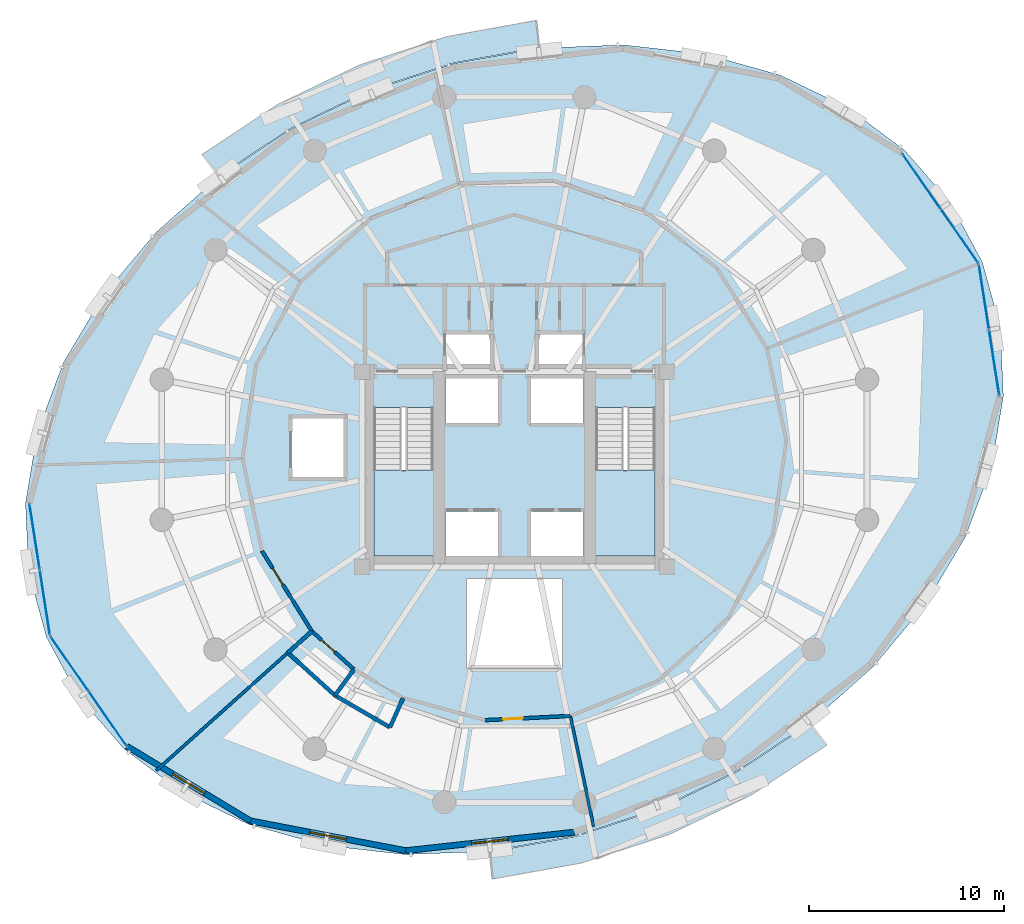
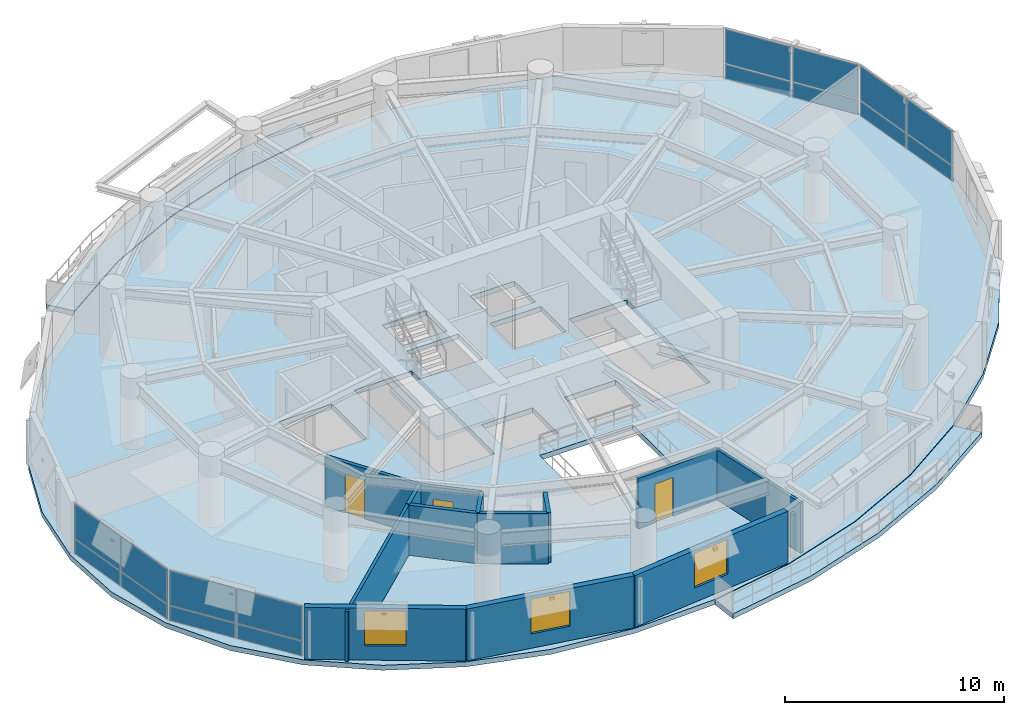
# One storey, part 9 of 14: 16 plates, 13 walls, 5 slabs, 3 doors, 3 windows, 6 openings, 6 elements without a shape of their own.
"""IFC4 building model written with IfcOpenShell, lengths in metres."""

from ifc_helpers import new_model, si_unit, direction, frame, frame_2d, origin, origin_2d, place, context, subcontext, project, spatial, polyline, rectangle, outline, extrude, material, layer, layer_set, type_object, element, fill, aggregate, save


model = new_model("IFC4")

# Units and contexts
model_context = context("Model", 3, precision=1e-05, world=origin(), true_north=direction((0.0, 1.0)))
body_context = subcontext(model_context, "Body", "Model", "MODEL_VIEW")
ifc_project = project(units=[si_unit("LENGTHUNIT", "METRE"), si_unit("AREAUNIT", "SQUARE_METRE"), si_unit("VOLUMEUNIT", "CUBIC_METRE"), si_unit("PLANEANGLEUNIT", "RADIAN"), si_unit("MASSUNIT", "GRAM", prefix="KILO"), si_unit("THERMODYNAMICTEMPERATUREUNIT", "KELVIN"), si_unit("POWERUNIT", "WATT")], contexts=[model_context])

# Site, building, storey
site_placement = place(None, origin())
site = spatial("IfcSite", under=ifc_project, at=site_placement, CompositionType="ELEMENT")
building_placement = place(site_placement, origin())
building = spatial("IfcBuilding", under=site, at=building_placement, Name="Ocrelia Relay Tower", CompositionType="ELEMENT")
storey_placement = place(building_placement, frame((0.0, 0.0, 125.800048828125)))
storey = spatial("IfcBuildingStorey", under=building, at=storey_placement, Name="L29", CompositionType="ELEMENT", Elevation=125.800048828125)

# Curtain wall, plates
ifc_material_1 = material(Name="Aluminium and solar-control low-E glass", Category="aluminium")
ifc_layer_1 = layer(ifc_material_1, 0.179931640625, Name="Aluminium and solar-control low-E glass")
ifc_layer_set_1 = layer_set([ifc_layer_1], Name="Aluminium and solar-control low-E glass")
curtain_wall_type = type_object("IfcCurtainWallType", Name="CW-SYS-Z2-SWIT", PredefinedType="NOTDEFINED", material=ifc_layer_set_1)
curtain_wall_1_placement = place(storey_placement, origin())
curtain_wall_1 = element("IfcCurtainWall", 1, at=curtain_wall_1_placement, inside=storey, type_object=curtain_wall_type, Name="L29 Elliptical Tower Curtain Wall Bay 01", PredefinedType="NOTDEFINED")
ifc_material_2 = material(Name="Clear double-glazed low-E glass", Category="glass")
ifc_layer_2 = layer(ifc_material_2, 0.031982421875, Name="Clear double-glazed low-E glass")
ifc_layer_set_2 = layer_set([ifc_layer_2], Name="Clear double-glazed low-E glass")
plate_type = type_object("IfcPlateType", Name="CW-SYS-Z2-SWIT-PNL", PredefinedType="CURTAIN_PANEL", material=ifc_layer_set_2)
plate_1_placement = place(storey_placement, frame((56.76904296875, 36.9541015625, 0.059814453125), z_axis=(0.0, 0.0, 1.0), x_axis=(-0.570993357289, 0.820954679585, 0.0)))
plate_1 = element("IfcPlate", 2, at=plate_1_placement, type_object=plate_type, Name="CW-Z2 panel 1.1", PredefinedType="CURTAIN_PANEL", context=body_context, shape_type="SweptSolid", body=[
    extrude(rectangle(XDim=3.33447265625, YDim=0.031982421875, at=origin_2d()), origin(), (0.0, 0.0, 1.0), 0.81005859375),
])
plate_2_placement = place(storey_placement, frame((56.76904296875, 36.9541015625, 0.93017578125), z_axis=(0.0, 0.0, 1.0), x_axis=(-0.570993357289, 0.820954679585, 0.0)))
plate_2 = element("IfcPlate", 3, at=plate_2_placement, type_object=plate_type, Name="CW-Z2 panel 1.2", PredefinedType="CURTAIN_PANEL", context=body_context, shape_type="SweptSolid", body=[
    extrude(rectangle(XDim=3.33447265625, YDim=0.031982421875, at=origin_2d()), origin(), (0.0, 0.0, 1.0), 1.909912109375),
])
plate_3_placement = place(storey_placement, frame((54.824951171875, 39.7490234375, 0.059814453125), z_axis=(0.0, 0.0, 1.0), x_axis=(-0.570993357289, 0.820954679585, 0.0)))
plate_3 = element("IfcPlate", 4, at=plate_3_placement, type_object=plate_type, Name="CW-Z2 panel 2.1", PredefinedType="CURTAIN_PANEL", context=body_context, shape_type="SweptSolid", body=[
    extrude(rectangle(XDim=3.33447265625, YDim=0.031982421875, at=origin_2d()), origin(), (0.0, 0.0, 1.0), 0.81005859375),
])
plate_4_placement = place(storey_placement, frame((54.824951171875, 39.7490234375, 0.93017578125), z_axis=(0.0, 0.0, 1.0), x_axis=(-0.570993357289, 0.820954679585, 0.0)))
plate_4 = element("IfcPlate", 5, at=plate_4_placement, type_object=plate_type, Name="CW-Z2 panel 2.2", PredefinedType="CURTAIN_PANEL", context=body_context, shape_type="SweptSolid", body=[
    extrude(rectangle(XDim=3.33447265625, YDim=0.031982421875, at=origin_2d()), origin(), (0.0, 0.0, 1.0), 1.909912109375),
])
aggregate(curtain_wall_1, [plate_1, plate_2, plate_3, plate_4])

curtain_wall_2_placement = place(storey_placement, origin())
curtain_wall_2 = element("IfcCurtainWall", 6, at=curtain_wall_2_placement, inside=storey, type_object=curtain_wall_type, Name="L29 Elliptical Tower Curtain Wall Bay 09", PredefinedType="NOTDEFINED")
plate_5_placement = place(storey_placement, frame((9.4453125, 21.552490234375, 0.059814453125), z_axis=(0.0, 0.0, 1.0), x_axis=(0.154379097489, -0.988011687309, 0.0)))
plate_5 = element("IfcPlate", 7, at=plate_5_placement, type_object=plate_type, Name="CW-Z2 panel 1.1", PredefinedType="CURTAIN_PANEL", context=body_context, shape_type="SweptSolid", body=[
    extrude(rectangle(XDim=3.33447265625, YDim=0.031982421875, at=origin_2d()), origin(), (0.0, 0.0, 1.0), 0.81005859375),
])
plate_6_placement = place(storey_placement, frame((9.4453125, 21.552490234375, 0.93017578125), z_axis=(0.0, 0.0, 1.0), x_axis=(0.154379097489, -0.988011687309, 0.0)))
plate_6 = element("IfcPlate", 8, at=plate_6_placement, type_object=plate_type, Name="CW-Z2 panel 1.2", PredefinedType="CURTAIN_PANEL", context=body_context, shape_type="SweptSolid", body=[
    extrude(rectangle(XDim=3.33447265625, YDim=0.031982421875, at=origin_2d()), origin(), (0.0, 0.0, 1.0), 1.909912109375),
])
plate_7_placement = place(storey_placement, frame((9.970947265625, 18.188720703125, 0.059814453125), z_axis=(0.0, 0.0, 1.0), x_axis=(0.154379097489, -0.988011687309, 0.0)))
plate_7 = element("IfcPlate", 9, at=plate_7_placement, type_object=plate_type, Name="CW-Z2 panel 2.1", PredefinedType="CURTAIN_PANEL", context=body_context, shape_type="SweptSolid", body=[
    extrude(rectangle(XDim=3.33447265625, YDim=0.031982421875, at=origin_2d()), origin(), (0.0, 0.0, 1.0), 0.81005859375),
])
plate_8_placement = place(storey_placement, frame((9.970947265625, 18.188720703125, 0.93017578125), z_axis=(0.0, 0.0, 1.0), x_axis=(0.154379097489, -0.988011687309, 0.0)))
plate_8 = element("IfcPlate", 10, at=plate_8_placement, type_object=plate_type, Name="CW-Z2 panel 2.2", PredefinedType="CURTAIN_PANEL", context=body_context, shape_type="SweptSolid", body=[
    extrude(rectangle(XDim=3.33447265625, YDim=0.031982421875, at=origin_2d()), origin(), (0.0, 0.0, 1.0), 1.909912109375),
])
aggregate(curtain_wall_2, [plate_5, plate_6, plate_7, plate_8])

curtain_wall_3_placement = place(storey_placement, origin())
curtain_wall_3 = element("IfcCurtainWall", 11, at=curtain_wall_3_placement, inside=storey, type_object=curtain_wall_type, Name="L29 Elliptical Tower Curtain Wall Bay 10", PredefinedType="NOTDEFINED")
plate_9_placement = place(storey_placement, frame((11.23095703125, 15.0458984375, 0.059814453125), z_axis=(0.0, 0.0, 1.0), x_axis=(0.570993357289, -0.820954679585, 0.0)))
plate_9 = element("IfcPlate", 12, at=plate_9_placement, type_object=plate_type, Name="CW-Z2 panel 1.1", PredefinedType="CURTAIN_PANEL", context=body_context, shape_type="SweptSolid", body=[
    extrude(rectangle(XDim=3.33447265625, YDim=0.031982421875, at=origin_2d()), origin(), (0.0, 0.0, 1.0), 0.81005859375),
])
plate_10_placement = place(storey_placement, frame((11.23095703125, 15.0458984375, 0.93017578125), z_axis=(0.0, 0.0, 1.0), x_axis=(0.570993357289, -0.820954679585, 0.0)))
plate_10 = element("IfcPlate", 13, at=plate_10_placement, type_object=plate_type, Name="CW-Z2 panel 1.2", PredefinedType="CURTAIN_PANEL", context=body_context, shape_type="SweptSolid", body=[
    extrude(rectangle(XDim=3.33447265625, YDim=0.031982421875, at=origin_2d()), origin(), (0.0, 0.0, 1.0), 1.909912109375),
])
plate_11_placement = place(storey_placement, frame((13.175048828125, 12.2509765625, 0.059814453125), z_axis=(0.0, 0.0, 1.0), x_axis=(0.570993357289, -0.820954679585, 0.0)))
plate_11 = element("IfcPlate", 14, at=plate_11_placement, type_object=plate_type, Name="CW-Z2 panel 2.1", PredefinedType="CURTAIN_PANEL", context=body_context, shape_type="SweptSolid", body=[
    extrude(rectangle(XDim=3.33447265625, YDim=0.031982421875, at=origin_2d()), origin(), (0.0, 0.0, 1.0), 0.81005859375),
])
plate_12_placement = place(storey_placement, frame((13.175048828125, 12.2509765625, 0.93017578125), z_axis=(0.0, 0.0, 1.0), x_axis=(0.570993357289, -0.820954679585, 0.0)))
plate_12 = element("IfcPlate", 15, at=plate_12_placement, type_object=plate_type, Name="CW-Z2 panel 2.2", PredefinedType="CURTAIN_PANEL", context=body_context, shape_type="SweptSolid", body=[
    extrude(rectangle(XDim=3.33447265625, YDim=0.031982421875, at=origin_2d()), origin(), (0.0, 0.0, 1.0), 1.909912109375),
])
aggregate(curtain_wall_3, [plate_9, plate_10, plate_11, plate_12])

curtain_wall_4_placement = place(storey_placement, origin())
curtain_wall_4 = element("IfcCurtainWall", 16, at=curtain_wall_4_placement, inside=storey, type_object=curtain_wall_type, Name="L29 Elliptical Tower Curtain Wall Bay 18", PredefinedType="NOTDEFINED")
plate_13_placement = place(storey_placement, frame((58.5546875, 30.447509765625, 0.059814453125), z_axis=(0.0, 0.0, 1.0), x_axis=(-0.154379097489, 0.988011687309, 0.0)))
plate_13 = element("IfcPlate", 17, at=plate_13_placement, type_object=plate_type, Name="CW-Z2 panel 1.1", PredefinedType="CURTAIN_PANEL", context=body_context, shape_type="SweptSolid", body=[
    extrude(rectangle(XDim=3.33447265625, YDim=0.031982421875, at=origin_2d()), origin(), (0.0, 0.0, 1.0), 0.81005859375),
])
plate_14_placement = place(storey_placement, frame((58.5546875, 30.447509765625, 0.93017578125), z_axis=(0.0, 0.0, 1.0), x_axis=(-0.154379097489, 0.988011687309, 0.0)))
plate_14 = element("IfcPlate", 18, at=plate_14_placement, type_object=plate_type, Name="CW-Z2 panel 1.2", PredefinedType="CURTAIN_PANEL", context=body_context, shape_type="SweptSolid", body=[
    extrude(rectangle(XDim=3.33447265625, YDim=0.031982421875, at=origin_2d()), origin(), (0.0, 0.0, 1.0), 1.909912109375),
])
plate_15_placement = place(storey_placement, frame((58.029052734375, 33.811279296875, 0.059814453125), z_axis=(0.0, 0.0, 1.0), x_axis=(-0.154379097489, 0.988011687309, 0.0)))
plate_15 = element("IfcPlate", 19, at=plate_15_placement, type_object=plate_type, Name="CW-Z2 panel 2.1", PredefinedType="CURTAIN_PANEL", context=body_context, shape_type="SweptSolid", body=[
    extrude(rectangle(XDim=3.33447265625, YDim=0.031982421875, at=origin_2d()), origin(), (0.0, 0.0, 1.0), 0.81005859375),
])
plate_16_placement = place(storey_placement, frame((58.029052734375, 33.811279296875, 0.93017578125), z_axis=(0.0, 0.0, 1.0), x_axis=(-0.154379097489, 0.988011687309, 0.0)))
plate_16 = element("IfcPlate", 20, at=plate_16_placement, type_object=plate_type, Name="CW-Z2 panel 2.2", PredefinedType="CURTAIN_PANEL", context=body_context, shape_type="SweptSolid", body=[
    extrude(rectangle(XDim=3.33447265625, YDim=0.031982421875, at=origin_2d()), origin(), (0.0, 0.0, 1.0), 1.909912109375),
])
aggregate(curtain_wall_4, [plate_13, plate_14, plate_15, plate_16])

# Slabs
ifc_material_3 = material(Name="Precast concrete C40/50", Category="concrete")
ifc_layer_3 = layer(ifc_material_3, 0.280029296875, Name="Precast concrete C40/50")
ifc_layer_set_3 = layer_set([ifc_layer_3], Name="Precast concrete C40/50")
slab_type_1 = type_object("IfcSlabType", Name="SL-BALC-280", PredefinedType="FLOOR", material=ifc_layer_set_3)
slab_1_placement = place(storey_placement, frame((0.0, 0.0, -0.280029296875)))
element("IfcSlab", 21, at=slab_1_placement, inside=storey, type_object=slab_type_1, Name="L29 Planted Loggia Balcony B1", PredefinedType="FLOOR", context=body_context, shape_type="SweptSolid", body=[
    extrude(outline(polyline([(35.26220703125, 46.583251953125), (33.078125, 46.189208984375), (30.893798828125, 45.794921875), (26.61962890625, 44.405517578125), (22.56982421875, 42.457275390625), (20.71826171875, 41.233154296875), (18.86669921875, 40.009033203125), (18.018310546875, 41.114501953125), (19.9501953125, 42.3916015625), (21.882080078125, 43.668701171875), (26.101318359375, 45.698486328125), (30.553955078125, 47.14599609375), (32.8330078125, 47.557373046875), (35.11181640625, 47.968505859375), (35.26220703125, 46.583251953125)])), origin(), (0.0, 0.0, 1.0), 0.280029296875),
])
slab_2_placement = place(storey_placement, frame((0.0, 0.0, -0.280029296875)))
element("IfcSlab", 22, at=slab_2_placement, inside=storey, type_object=slab_type_1, Name="L29 Planted Loggia Balcony B2", PredefinedType="FLOOR", context=body_context, shape_type="SweptSolid", body=[
    extrude(outline(polyline([(32.73779296875, 5.416748046875), (34.921875, 5.810791015625), (37.106201171875, 6.205078125), (41.38037109375, 7.594482421875), (45.43017578125, 9.542724609375), (47.28173828125, 10.766845703125), (49.13330078125, 11.990966796875), (49.981689453125, 10.885498046875), (48.0498046875, 9.6083984375), (46.117919921875, 8.331298828125), (41.898681640625, 6.301513671875), (37.446044921875, 4.85400390625), (35.1669921875, 4.442626953125), (32.88818359375, 4.031494140625), (32.73779296875, 5.416748046875)])), origin(), (0.0, 0.0, 1.0), 0.280029296875),
])
ifc_material_4 = material(Name="Concrete C50/60", Category="concrete")
ifc_layer_4 = layer(ifc_material_4, 0.280029296875, Name="Concrete C50/60")
ifc_layer_set_4 = layer_set([ifc_layer_4], Name="Concrete C50/60")
slab_type_2 = type_object("IfcSlabType", Name="SL-FLR-280", PredefinedType="FLOOR", material=ifc_layer_set_4)
slab_3_placement = place(storey_placement, frame((0.0, 0.0, -0.280029296875)))
element("IfcSlab", 23, at=slab_3_placement, inside=storey, type_object=slab_type_2, Name="L29 Elliptical Tower Floor Slab", PredefinedType="FLOOR", context=body_context, shape_type="SweptSolid", body=[
    extrude(outline(polyline([(57.946533203125, 35.602294921875), (56.302978515625, 38.6474609375), (53.98193359375, 41.30859375), (51.0537109375, 43.50439453125), (47.607421875, 45.168701171875), (43.74755859375, 46.250244140625), (39.59130859375, 46.716552734375), (35.265380859375, 46.553466796875), (30.901123046875, 45.765869140625), (26.630859375, 44.377685546875), (22.584716796875, 42.430908203125), (18.885009765625, 39.985107421875), (15.64501953125, 37.114501953125), (12.96240234375, 33.906005859375), (10.919189453125, 30.457275390625), (9.5771484375, 26.873046875), (8.977294921875, 23.262451171875), (9.1376953125, 19.73486328125), (10.053466796875, 16.397705078125), (11.697021484375, 13.3525390625), (14.01806640625, 10.69140625), (16.9462890625, 8.49560546875), (20.392578125, 6.831298828125), (24.25244140625, 5.749755859375), (28.40869140625, 5.283447265625), (32.734619140625, 5.446533203125), (37.098876953125, 6.234130859375), (41.369140625, 7.622314453125), (45.415283203125, 9.569091796875), (49.114990234375, 12.014892578125), (52.35498046875, 14.885498046875), (55.03759765625, 18.093994140625), (57.080810546875, 21.542724609375), (58.4228515625, 25.126953125), (59.022705078125, 28.737548828125), (58.8623046875, 32.26513671875), (57.946533203125, 35.602294921875)]), holes=[polyline([(26.81005859375, 28.14990234375), (26.81005859375, 20.550048828125), (29.85009765625, 20.550048828125), (29.85009765625, 28.14990234375), (26.81005859375, 28.14990234375)]), polyline([(38.159912109375, 28.14990234375), (38.159912109375, 20.550048828125), (41.199951171875, 20.550048828125), (41.199951171875, 28.14990234375), (38.159912109375, 28.14990234375)]), polyline([(30.4599609375, 20.550048828125), (33.159912109375, 20.550048828125), (33.159912109375, 22.85009765625), (30.4599609375, 22.85009765625), (30.4599609375, 20.550048828125)]), polyline([(34.840087890625, 20.550048828125), (37.5400390625, 20.550048828125), (37.5400390625, 22.85009765625), (34.840087890625, 22.85009765625), (34.840087890625, 20.550048828125)]), polyline([(30.4599609375, 27.35009765625), (33.159912109375, 27.35009765625), (33.159912109375, 29.64990234375), (30.4599609375, 29.64990234375), (30.4599609375, 27.35009765625)]), polyline([(34.840087890625, 27.35009765625), (37.5400390625, 27.35009765625), (37.5400390625, 29.64990234375), (34.840087890625, 29.64990234375), (34.840087890625, 27.35009765625)]), polyline([(30.5, 30.10009765625), (32.85009765625, 30.10009765625), (32.85009765625, 32.0), (30.5, 32.0), (30.5, 30.10009765625)]), polyline([(35.14990234375, 30.10009765625), (37.5, 30.10009765625), (37.5, 32.0), (35.14990234375, 32.0), (35.14990234375, 30.10009765625)]), polyline([(22.550048828125, 24.5), (25.35009765625, 24.5), (25.35009765625, 27.699951171875), (22.550048828125, 27.699951171875), (22.550048828125, 24.5)]), polyline([(31.550048828125, 14.800048828125), (36.449951171875, 14.800048828125), (36.449951171875, 19.39990234375), (31.550048828125, 19.39990234375), (31.550048828125, 14.800048828125)])]), origin(), (0.0, 0.0, 1.0), 0.280029296875),
])

# Stair, slab
stair_type = type_object("IfcStairType", Name="ST-DL-1420-R167", PredefinedType="HALF_TURN_STAIR", material=ifc_material_4)
stair_1_placement = place(storey_placement, origin())
stair_1 = element("IfcStair", 24, at=stair_1_placement, inside=storey, type_object=stair_type, Name="L29 West Core Exit Stair ST1", PredefinedType="HALF_TURN_STAIR")
ifc_layer_5 = layer(ifc_material_4, 0.199951171875, Name="Concrete C50/60")
ifc_layer_set_5 = layer_set([ifc_layer_5], Name="Concrete C50/60")
slab_type_3 = type_object("IfcSlabType", Name="SL-LANDING-200", PredefinedType="LANDING", material=ifc_layer_set_5)
slab_4_placement = place(storey_placement, frame((0.0, 0.0, 1.800048828125)))
slab_4 = element("IfcSlab", 25, at=slab_4_placement, type_object=slab_type_3, Name="ST1 landing 1", PredefinedType="LANDING", context=body_context, shape_type="SweptSolid", body=[
    extrude(outline(polyline([(26.81005859375, 24.9599609375), (26.81005859375, 20.550048828125), (29.85009765625, 20.550048828125), (29.85009765625, 24.9599609375), (26.81005859375, 24.9599609375)])), origin(), (0.0, 0.0, 1.0), 0.199951171875),
])
aggregate(stair_1, [slab_4])

stair_2_placement = place(storey_placement, origin())
stair_2 = element("IfcStair", 26, at=stair_2_placement, inside=storey, type_object=stair_type, Name="L29 East Core Exit Stair ST2", PredefinedType="HALF_TURN_STAIR")
slab_5_placement = place(storey_placement, frame((0.0, 0.0, 1.800048828125)))
slab_5 = element("IfcSlab", 27, at=slab_5_placement, type_object=slab_type_3, Name="ST2 landing 1", PredefinedType="LANDING", context=body_context, shape_type="SweptSolid", body=[
    extrude(outline(polyline([(38.159912109375, 24.9599609375), (38.159912109375, 20.550048828125), (41.199951171875, 20.550048828125), (41.199951171875, 24.9599609375), (38.159912109375, 24.9599609375)])), origin(), (0.0, 0.0, 1.0), 0.199951171875),
])
aggregate(stair_2, [slab_5])

# Wall, opening, door
ifc_material_5 = material(Name="Gypsum Fireboard Partition EI60", Category="gypsum")
ifc_layer_6 = layer(ifc_material_5, 0.179931640625, Name="Gypsum Fireboard Partition EI60")
ifc_layer_set_6 = layer_set([ifc_layer_6], Name="Gypsum Fireboard Partition EI60")
wall_type_1 = type_object("IfcWallType", Name="W-CORR-EI60-180", PredefinedType="PARTITIONING", material=ifc_layer_set_6)
wall_1_placement = place(storey_placement, frame((23.631103515625, 16.712890625, 0.0), z_axis=(0.0, 0.0, 1.0), x_axis=(0.741384706551, -0.671080261141, 0.0)))
wall_1 = element("IfcWall", 28, at=wall_1_placement, inside=storey, type_object=wall_type_1, Name="L29 Staff Toilet Corridor Wall", PredefinedType="PARTITIONING", context=body_context, shape_type="SweptSolid", body=[
    extrude(rectangle(XDim=2.91015625, YDim=0.179931640625, at=frame_2d((1.455078125, 0.0))), origin(), (0.0, 0.0, 1.0), 2.800048828125),
])
opening_1_placement = place(wall_1_placement, frame((0.6689453125, 0.0, 0.0)))
opening_1 = element("IfcOpeningElement", 29, at=opening_1_placement, cuts=wall_1, Name="Opening D-WC92", PredefinedType="OPENING", context=body_context, shape_type="SweptSolid", body=[
    extrude(rectangle(XDim=0.919921875, YDim=2.10009765625, at=frame_2d((0.4599609375, 1.050048828125))), frame((0.0, 0.10009765625, 0.0), z_axis=(0.0, -1.0, 0.0), x_axis=(1.0, 0.0, 0.0)), (0.0, 0.0, 1.0), 0.199951171875),
])
ifc_material_6 = material(Name="Laminate washroom door", Category="wood")
door_type_1 = type_object("IfcDoorType", Name="DR-WC-920", OperationType="NOTDEFINED", PredefinedType="DOOR", material=ifc_material_6)
door_1_placement = place(opening_1_placement, origin())
door_1 = element("IfcDoor", 30, at=door_1_placement, inside=storey, type_object=door_type_1, Name="L29 Staff Toilet Door", OperationType="SINGLE_SWING_LEFT", OverallHeight=2.10009765625, OverallWidth=0.919921875, PredefinedType="DOOR", context=body_context, shape_type="SweptSolid", body=[
    extrude(rectangle(XDim=0.919921875, YDim=2.10009765625, at=frame_2d((0.4599609375, 1.050048828125))), frame((0.0, 0.02490234375, 0.0), z_axis=(0.0, -1.0, 0.0), x_axis=(1.0, 0.0, 0.0)), (0.0, 0.0, 1.0), 0.050048828125),
])
fill(opening_1, door_1)

wall_2_placement = place(storey_placement, frame((32.5087890625, 12.16015625, 0.0), z_axis=(0.0, 0.0, 1.0), x_axis=(0.998762941089, 0.049725119485, 0.0)))
wall_2 = element("IfcWall", 31, at=wall_2_placement, inside=storey, type_object=wall_type_1, Name="L29 Innovation Club Room Corridor Partition 2", PredefinedType="PARTITIONING", context=body_context, shape_type="SweptSolid", body=[
    extrude(rectangle(XDim=4.35498046875, YDim=0.179931640625, at=frame_2d((2.177490234375, 0.0))), origin(), (0.0, 0.0, 1.0), 2.800048828125),
])
opening_2_placement = place(wall_2_placement, frame((0.913818359375, 0.0, 0.0)))
opening_2 = element("IfcOpeningElement", 32, at=opening_2_placement, cuts=wall_2, Name="Opening D-RM100", PredefinedType="OPENING", context=body_context, shape_type="SweptSolid", body=[
    extrude(rectangle(XDim=1.0, YDim=2.14990234375, at=frame_2d((0.5, 1.074951171875))), frame((0.0, 0.10009765625, 0.0), z_axis=(0.0, -1.0, 0.0), x_axis=(1.0, 0.0, 0.0)), (0.0, 0.0, 1.0), 0.199951171875),
])
ifc_material_7 = material(Name="Acoustic oak veneer fire door", Category="wood")
door_type_2 = type_object("IfcDoorType", Name="DR-ROOM-FD60-1000", OperationType="NOTDEFINED", PredefinedType="DOOR", material=ifc_material_7)
door_2_placement = place(opening_2_placement, origin())
door_2 = element("IfcDoor", 33, at=door_2_placement, inside=storey, type_object=door_type_2, Name="L29 Innovation Club Room Entrance Door", OperationType="SINGLE_SWING_LEFT", OverallHeight=2.14990234375, OverallWidth=1.0, PredefinedType="DOOR", context=body_context, shape_type="SweptSolid", body=[
    extrude(rectangle(XDim=1.0, YDim=2.14990234375, at=frame_2d((0.5, 1.074951171875))), frame((0.0, 0.02490234375, 0.0), z_axis=(0.0, -1.0, 0.0), x_axis=(1.0, 0.0, 0.0)), (0.0, 0.0, 1.0), 0.050048828125),
])
fill(opening_2, door_2)

wall_3_placement = place(storey_placement, frame((21.080078125, 20.8193359375, 0.0), z_axis=(0.0, 0.0, 1.0), x_axis=(0.527690930955, -0.849436449293, 0.0)))
wall_3 = element("IfcWall", 34, at=wall_3_placement, inside=storey, type_object=wall_type_1, Name="L29 Executive Reading Study Corridor Partition 2", PredefinedType="PARTITIONING", context=body_context, shape_type="SweptSolid", body=[
    extrude(rectangle(XDim=4.834228515625, YDim=0.179931640625, at=frame_2d((2.4169921875, 0.0))), origin(), (0.0, 0.0, 1.0), 2.800048828125),
])
opening_3_placement = place(wall_3_placement, frame((1.03369140625, 0.0, 0.0)))
opening_3 = element("IfcOpeningElement", 35, at=opening_3_placement, cuts=wall_3, Name="Opening D-RM100", PredefinedType="OPENING", context=body_context, shape_type="SweptSolid", body=[
    extrude(rectangle(XDim=1.0, YDim=2.14990234375, at=frame_2d((0.5, 1.074951171875))), frame((0.0, 0.10009765625, 0.0), z_axis=(0.0, -1.0, 0.0), x_axis=(1.0, 0.0, 0.0)), (0.0, 0.0, 1.0), 0.199951171875),
])
door_3_placement = place(opening_3_placement, origin())
door_3 = element("IfcDoor", 36, at=door_3_placement, inside=storey, type_object=door_type_2, Name="L29 Executive Reading Study Entrance Door", OperationType="SINGLE_SWING_LEFT", OverallHeight=2.14990234375, OverallWidth=1.0, PredefinedType="DOOR", context=body_context, shape_type="SweptSolid", body=[
    extrude(rectangle(XDim=1.0, YDim=2.14990234375, at=frame_2d((0.5, 1.074951171875))), frame((0.0, 0.02490234375, 0.0), z_axis=(0.0, -1.0, 0.0), x_axis=(1.0, 0.0, 0.0)), (0.0, 0.0, 1.0), 0.050048828125),
])
fill(opening_3, door_3)

# Wall, opening, window
ifc_material_8 = material(Name="Precast concrete C40/50 with oxide terracotta", Category="masonry")
ifc_layer_7 = layer(ifc_material_8, 0.300048828125, Name="Precast concrete C40/50 with oxide terracotta")
ifc_layer_set_7 = layer_set([ifc_layer_7], Name="Precast concrete C40/50 with oxide terracotta")
wall_type_2 = type_object("IfcWallType", Name="W-EXT-TERR-300", PredefinedType="SOLIDWALL", material=ifc_layer_set_7)
wall_4_placement = place(storey_placement, frame((14.1669921875, 10.82470703125, 0.0), z_axis=(0.0, 0.0, 1.0), x_axis=(0.856004258132, -0.516968770875, 0.0)))
wall_4 = element("IfcWall", 37, at=wall_4_placement, inside=storey, type_object=wall_type_2, Name="L29 Oxide Terracotta Facade Wall 11", PredefinedType="SOLIDWALL", context=body_context, shape_type="SweptSolid", body=[
    extrude(rectangle(XDim=7.38330078125, YDim=0.300048828125, at=frame_2d((3.691650390625, 0.0))), origin(), (0.0, 0.0, 1.0), 2.89990234375),
])
opening_4_placement = place(wall_4_placement, frame((2.741943359375, 0.0, 0.800048828125)))
opening_4 = element("IfcOpeningElement", 38, at=opening_4_placement, cuts=wall_4, Name="Opening W-06", PredefinedType="OPENING", context=body_context, shape_type="SweptSolid", body=[
    extrude(rectangle(XDim=1.89990234375, YDim=1.949951171875, at=frame_2d((0.949951171875, 0.97509765625))), frame((0.0, 0.16015625, 0.0), z_axis=(0.0, -1.0, 0.0), x_axis=(1.0, 0.0, 0.0)), (0.0, 0.0, 1.0), 0.320068359375),
])
window_type = type_object("IfcWindowType", Name="WIN-Z2-1900x2100", PartitioningType="DOUBLE_PANEL_VERTICAL", PredefinedType="WINDOW", material=ifc_material_2)
window_1_placement = place(opening_4_placement, origin())
window_1 = element("IfcWindow", 39, at=window_1_placement, inside=storey, type_object=window_type, Name="L29 Facade Module Window 11", OverallHeight=1.949951171875, OverallWidth=1.89990234375, PartitioningType="SINGLE_PANEL", PredefinedType="WINDOW", context=body_context, shape_type="SweptSolid", body=[
    extrude(rectangle(XDim=1.89990234375, YDim=1.949951171875, at=frame_2d((0.949951171875, 0.97509765625))), frame((0.0, 0.030029296875, 0.0), z_axis=(0.0, -1.0, 0.0), x_axis=(1.0, 0.0, 0.0)), (0.0, 0.0, 1.0), 0.06005859375),
])
fill(opening_4, window_1)

wall_5_placement = place(storey_placement, frame((20.487060546875, 7.0078125, 0.0), z_axis=(0.0, 0.0, 1.0), x_axis=(0.982062977667, -0.188553196461, 0.0)))
wall_5 = element("IfcWall", 40, at=wall_5_placement, inside=storey, type_object=wall_type_2, Name="L29 Oxide Terracotta Facade Wall 12", PredefinedType="SOLIDWALL", context=body_context, shape_type="SweptSolid", body=[
    extrude(rectangle(XDim=8.09521484375, YDim=0.300048828125, at=frame_2d((4.047607421875, 0.0))), origin(), (0.0, 0.0, 1.0), 2.89990234375),
])
opening_5_placement = place(wall_5_placement, frame((3.097900390625, 0.0, 0.800048828125)))
opening_5 = element("IfcOpeningElement", 41, at=opening_5_placement, cuts=wall_5, Name="Opening W-06", PredefinedType="OPENING", context=body_context, shape_type="SweptSolid", body=[
    extrude(rectangle(XDim=1.89990234375, YDim=1.949951171875, at=frame_2d((0.949951171875, 0.97509765625))), frame((0.0, 0.16015625, 0.0), z_axis=(0.0, -1.0, 0.0), x_axis=(1.0, 0.0, 0.0)), (0.0, 0.0, 1.0), 0.320068359375),
])
window_2_placement = place(opening_5_placement, origin())
window_2 = element("IfcWindow", 42, at=window_2_placement, inside=storey, type_object=window_type, Name="L29 Facade Module Window 12", OverallHeight=1.949951171875, OverallWidth=1.89990234375, PartitioningType="SINGLE_PANEL", PredefinedType="WINDOW", context=body_context, shape_type="SweptSolid", body=[
    extrude(rectangle(XDim=1.89990234375, YDim=1.949951171875, at=frame_2d((0.949951171875, 0.97509765625))), frame((0.0, 0.030029296875, 0.0), z_axis=(0.0, -1.0, 0.0), x_axis=(1.0, 0.0, 0.0)), (0.0, 0.0, 1.0), 0.06005859375),
])
fill(opening_5, window_2)

wall_6_placement = place(storey_placement, frame((28.43701171875, 5.4814453125, 0.0), z_axis=(0.0, 0.0, 1.0), x_axis=(0.99400193871, 0.109362451697, 0.0)))
wall_6 = element("IfcWall", 43, at=wall_6_placement, inside=storey, type_object=wall_type_2, Name="L29 Oxide Terracotta Facade Wall 13", PredefinedType="SOLIDWALL", context=body_context, shape_type="SweptSolid", body=[
    extrude(rectangle(XDim=8.6728515625, YDim=0.300048828125, at=frame_2d((4.33642578125, 0.0))), origin(), (0.0, 0.0, 1.0), 2.89990234375),
])
opening_6_placement = place(wall_6_placement, frame((3.385986328125, 0.0, 0.800048828125)))
opening_6 = element("IfcOpeningElement", 44, at=opening_6_placement, cuts=wall_6, Name="Opening W-06", PredefinedType="OPENING", context=body_context, shape_type="SweptSolid", body=[
    extrude(rectangle(XDim=1.89990234375, YDim=1.949951171875, at=frame_2d((0.949951171875, 0.97509765625))), frame((0.0, 0.16015625, 0.0), z_axis=(0.0, -1.0, 0.0), x_axis=(1.0, 0.0, 0.0)), (0.0, 0.0, 1.0), 0.320068359375),
])
window_3_placement = place(opening_6_placement, origin())
window_3 = element("IfcWindow", 45, at=window_3_placement, inside=storey, type_object=window_type, Name="L29 Facade Module Window 13", OverallHeight=1.949951171875, OverallWidth=1.89990234375, PartitioningType="SINGLE_PANEL", PredefinedType="WINDOW", context=body_context, shape_type="SweptSolid", body=[
    extrude(rectangle(XDim=1.89990234375, YDim=1.949951171875, at=frame_2d((0.949951171875, 0.97509765625))), frame((0.0, 0.030029296875, 0.0), z_axis=(0.0, -1.0, 0.0), x_axis=(1.0, 0.0, 0.0)), (0.0, 0.0, 1.0), 0.06005859375),
])
fill(opening_6, window_3)

# Walls
ifc_material_9 = material(Name="Acoustic Fireboard Partition EI60", Category="gypsum")
ifc_layer_8 = layer(ifc_material_9, 0.14990234375, Name="Acoustic Fireboard Partition EI60")
ifc_layer_set_8 = layer_set([ifc_layer_8], Name="Acoustic Fireboard Partition EI60")
wall_type_3 = type_object("IfcWallType", Name="W-PART-150", PredefinedType="PARTITIONING", material=ifc_layer_set_8)
wall_7_placement = place(storey_placement, frame((22.402099609375, 15.612060546875, 0.0), z_axis=(0.0, 0.0, 1.0), x_axis=(-0.744885698321, -0.667192098602, 0.0)))
element("IfcWall", 46, at=wall_7_placement, inside=storey, type_object=wall_type_3, Name="L29 Innovation Club Room Radial Partition", PredefinedType="PARTITIONING", context=body_context, shape_type="SweptSolid", body=[
    extrude(rectangle(XDim=9.0341796875, YDim=0.14990234375, at=frame_2d((4.51708984375, 0.0))), origin(), (0.0, 0.0, 1.0), 2.800048828125),
])
wall_8_placement = place(storey_placement, frame((36.8583984375, 12.376708984375, 0.0), z_axis=(0.0, 0.0, 1.0), x_axis=(0.205378628845, -0.978682593497, 0.0)))
element("IfcWall", 47, at=wall_8_placement, inside=storey, type_object=wall_type_3, Name="L29 Innovation Club Room Radial Partition", PredefinedType="PARTITIONING", context=body_context, shape_type="SweptSolid", body=[
    extrude(rectangle(XDim=5.803466796875, YDim=0.14990234375, at=frame_2d((2.90185546875, 0.0))), origin(), (0.0, 0.0, 1.0), 2.800048828125),
])
ifc_material_10 = material(Name="Moisture-Resistant Fireboard Chase Wall EI60", Category="gypsum")
ifc_layer_9 = layer(ifc_material_10, 0.199951171875, Name="Moisture-Resistant Fireboard Chase Wall EI60")
ifc_layer_set_9 = layer_set([ifc_layer_9], Name="Moisture-Resistant Fireboard Chase Wall EI60")
wall_type_4 = type_object("IfcWallType", Name="W-PLUMB-200", PredefinedType="PLUMBINGWALL", material=ifc_layer_set_9)
wall_9_placement = place(storey_placement, frame((23.631103515625, 16.712890625, 0.0), z_axis=(0.0, 0.0, 1.0), x_axis=(-0.744881296244, -0.667197013262, 0.0)))
element("IfcWall", 48, at=wall_9_placement, inside=storey, type_object=wall_type_4, Name="L29 Staff Toilet Plumbing Radial Wall", PredefinedType="PLUMBINGWALL", context=body_context, shape_type="SweptSolid", body=[
    extrude(rectangle(XDim=1.64990234375, YDim=0.199951171875, at=frame_2d((0.824951171875, 0.0))), origin(), (0.0, 0.0, 1.0), 2.800048828125),
])
wall_10_placement = place(storey_placement, frame((25.78857421875, 14.760009765625, 0.0), z_axis=(0.0, 0.0, 1.0), x_axis=(-0.58986820349, -0.807499537158, 0.0)))
element("IfcWall", 49, at=wall_10_placement, inside=storey, type_object=wall_type_4, Name="L29 Staff Toilet Plumbing Radial Wall", PredefinedType="PLUMBINGWALL", context=body_context, shape_type="SweptSolid", body=[
    extrude(rectangle(XDim=1.650146484375, YDim=0.199951171875, at=frame_2d((0.8251953125, 0.0))), origin(), (0.0, 0.0, 1.0), 2.800048828125),
])
wall_11_placement = place(storey_placement, frame((22.402099609375, 15.612060546875, 0.0), z_axis=(0.0, 0.0, 1.0), x_axis=(0.741336734145, -0.671133255477, 0.0)))
element("IfcWall", 50, at=wall_11_placement, inside=storey, type_object=wall_type_4, Name="L29 Staff Toilet Back Plumbing Wall", PredefinedType="PLUMBINGWALL", context=body_context, shape_type="SweptSolid", body=[
    extrude(rectangle(XDim=3.255126953125, YDim=0.199951171875, at=frame_2d((1.62744140625, 0.0))), origin(), (0.0, 0.0, 1.0), 2.800048828125),
])
wall_12_placement = place(storey_placement, frame((28.304931640625, 13.29833984375, 0.0), z_axis=(0.0, 0.0, 1.0), x_axis=(-0.409115381084, -0.912482660088, 0.0)))
element("IfcWall", 51, at=wall_12_placement, inside=storey, type_object=wall_type_4, Name="L29 Accessible Toilet Plumbing Radial Wall", PredefinedType="PLUMBINGWALL", context=body_context, shape_type="SweptSolid", body=[
    extrude(rectangle(XDim=1.64990234375, YDim=0.199951171875, at=frame_2d((0.824951171875, 0.0))), origin(), (0.0, 0.0, 1.0), 2.800048828125),
])
wall_13_placement = place(storey_placement, frame((24.815185546875, 13.427490234375, 0.0), z_axis=(0.0, 0.0, 1.0), x_axis=(0.864732205819, -0.502233224925, 0.0)))
element("IfcWall", 52, at=wall_13_placement, inside=storey, type_object=wall_type_4, Name="L29 Accessible Toilet Back Plumbing Wall", PredefinedType="PLUMBINGWALL", context=body_context, shape_type="SweptSolid", body=[
    extrude(rectangle(XDim=3.2548828125, YDim=0.199951171875, at=frame_2d((1.62744140625, 0.0))), origin(), (0.0, 0.0, 1.0), 2.800048828125),
])

save(model, "model.ifc")
